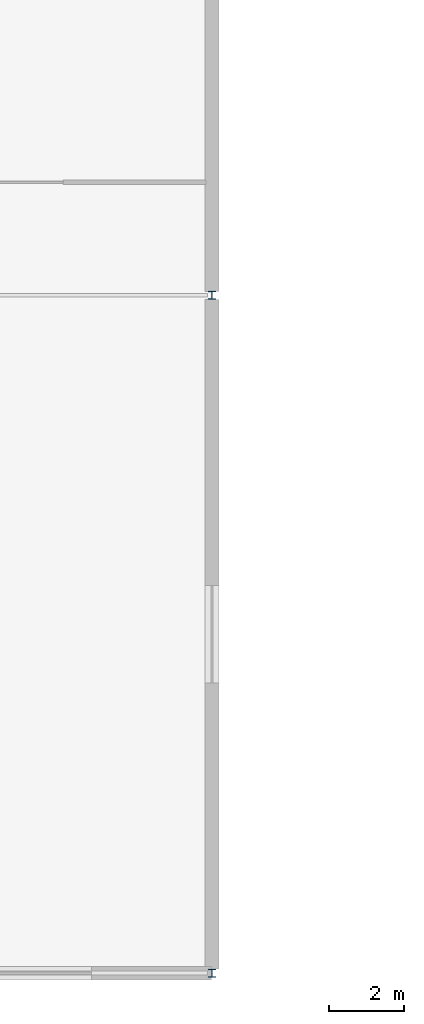
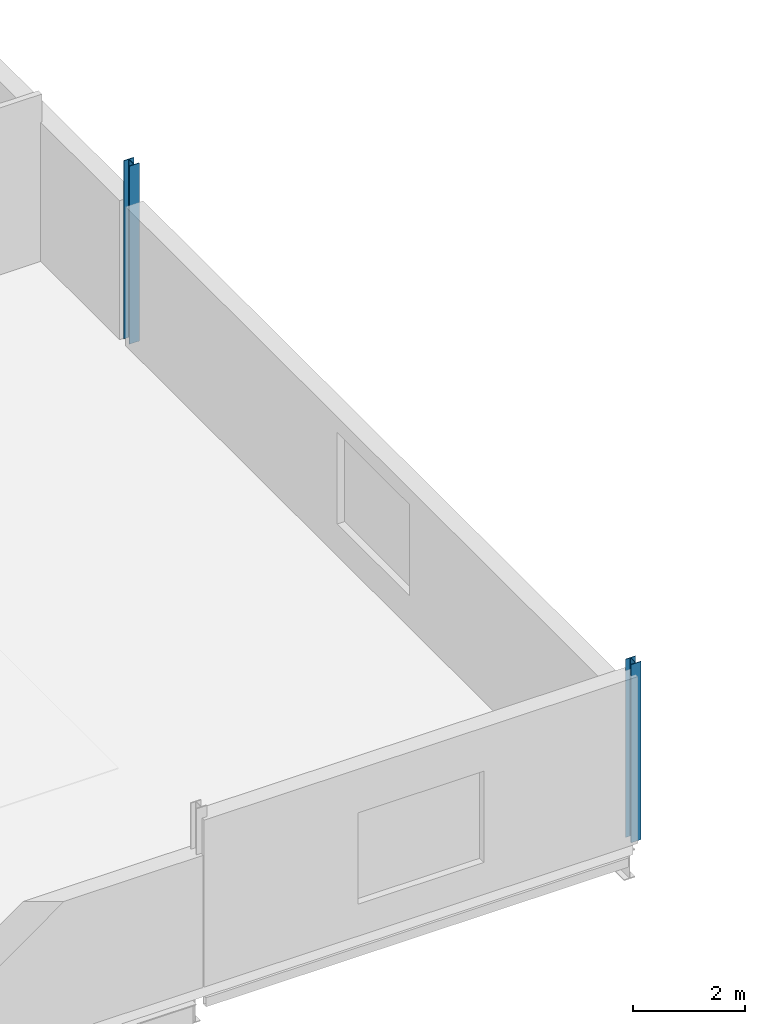
# One storey, part 3 of 35: 2 columns.
"""IFC4 building model written with IfcOpenShell, lengths in metres."""

from ifc_helpers import new_model, si_unit, direction, frame, origin, origin_2d, place, context, subcontext, project, spatial, i_section, extrude, material, material_profile, profile_set, type_object, element, save


model = new_model("IFC4")

# Units and contexts
model_context = context("Model", 3, precision=1e-05, world=origin(), true_north=direction((0.0, 1.0)))
body_context = subcontext(model_context, "Body", "Model", "MODEL_VIEW")
ifc_project = project(units=[si_unit("LENGTHUNIT", "METRE"), si_unit("AREAUNIT", "SQUARE_METRE"), si_unit("VOLUMEUNIT", "CUBIC_METRE"), si_unit("PLANEANGLEUNIT", "RADIAN"), si_unit("MASSUNIT", "GRAM", prefix="KILO")], contexts=[model_context])

# Site, building, storey
site_placement = place(None, origin())
site = spatial("IfcSite", under=ifc_project, at=site_placement, CompositionType="ELEMENT")
building_placement = place(site_placement, origin())
building = spatial("IfcBuilding", under=site, at=building_placement, Name="Kisiwana Market Hall", CompositionType="ELEMENT")
storey_placement = place(building_placement, frame((0.0, 0.0, 57.89990234375)))
storey = spatial("IfcBuildingStorey", under=building, at=storey_placement, Name="L13", CompositionType="ELEMENT", Elevation=57.89990234375)

# Columns
ifc_material = material(Name="Steel S355", Category="steel")
ifc_material_profile = material_profile(ifc_material, i_section(OverallWidth=0.205810546875, OverallDepth=0.209716796875, WebThickness=0.009521484375, FlangeThickness=0.01416015625, FilletRadius=0.01025390625, at=origin_2d()), Name="UC 203x203x60")
ifc_profile_set = profile_set([ifc_material_profile], Name="Steel S355")
column_type = type_object("IfcColumnType", Name="COL-STL-UC060", PredefinedType="COLUMN", material=ifc_profile_set)
for number, where, z_axis, x_axis, name in (
    (1, (36.0, 18.0, 0.0), (0.0, 0.0, 1.0), (1.0, 0.0, 0.0), "Column C/5 (L13) C-1416"),
    (2, (36.0, 36.0, 0.0), (0.0, 0.0, 1.0), (1.0, 0.0, 0.0), "Column E/5 (L13) C-1417"),
):
    element("IfcColumn", number, at=place(storey_placement, frame(where, z_axis=z_axis, x_axis=x_axis)), inside=storey, type_object=column_type, Name=name, PredefinedType="COLUMN", context=body_context, shape_type="SweptSolid", body=[
        extrude(i_section(OverallWidth=0.205810546875, OverallDepth=0.209716796875, WebThickness=0.009521484375, FlangeThickness=0.01416015625, FilletRadius=0.01025390625, at=origin_2d()), origin(), (0.0, 0.0, 1.0), 3.900146484375),
    ])

save(model, "model.ifc")
